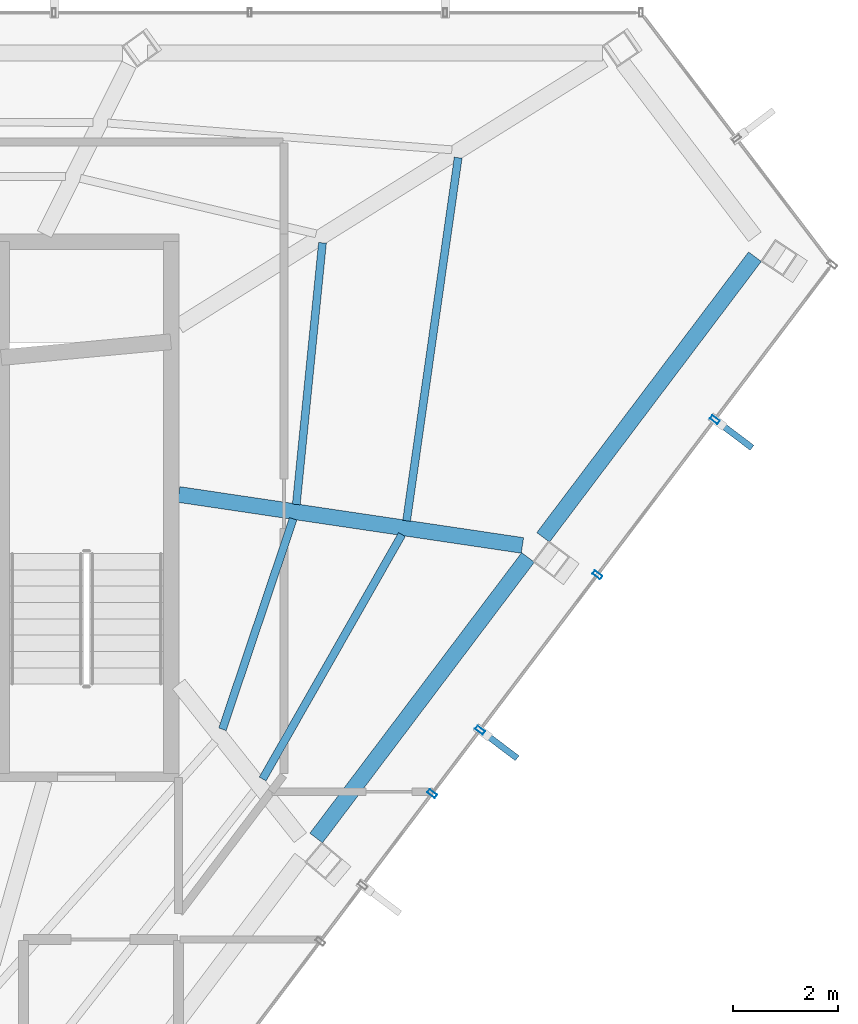
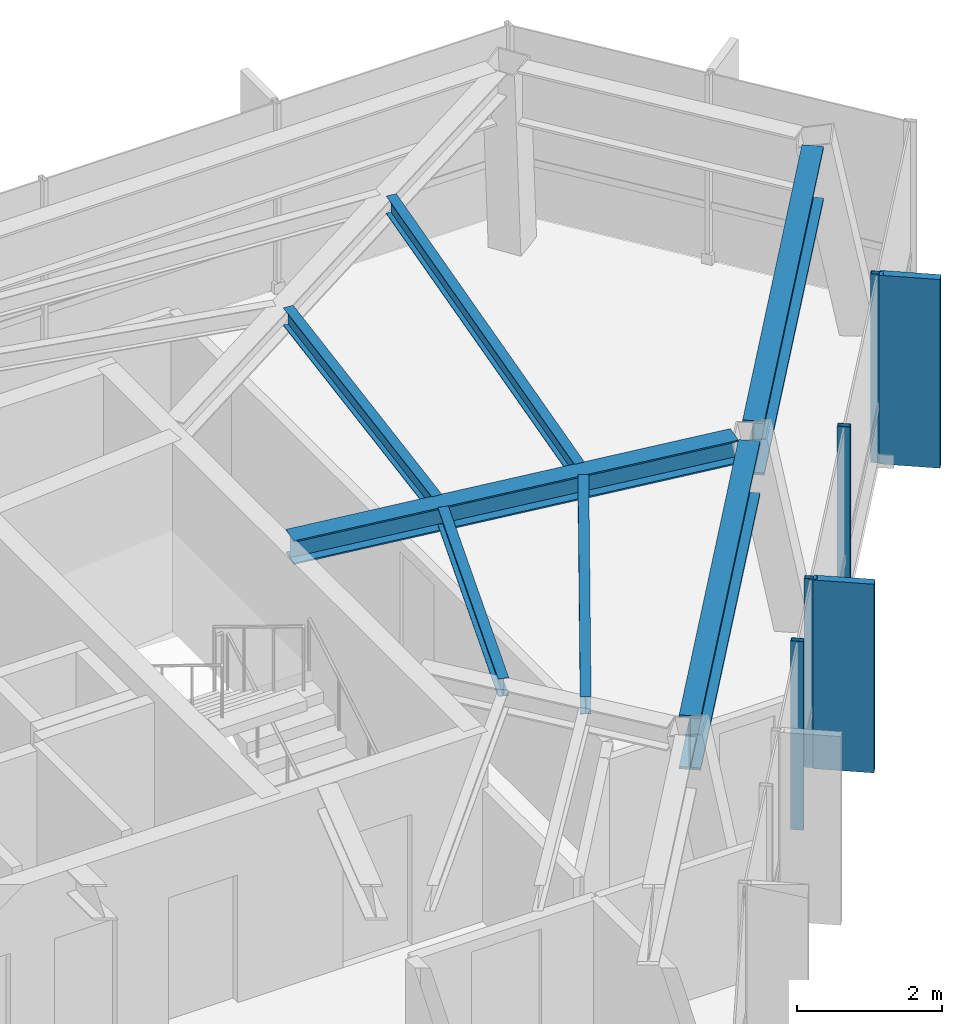
# One storey, part 18 of 25: 7 beams, 6 members, 1 element without a shape of its own.
"""IFC4 building model written with IfcOpenShell, lengths in metres."""

from ifc_helpers import new_model, si_unit, direction, frame, origin, origin_2d, place, context, subcontext, project, spatial, rectangle, hollow_rectangle, i_section, extrude, material, layer, layer_set, material_profile, profile_set, type_object, element, aggregate, save


model = new_model("IFC4")

# Units and contexts
model_context = context("Model", 3, precision=1e-05, world=origin(), true_north=direction((0.0, 1.0)))
body_context = subcontext(model_context, "Body", "Model", "MODEL_VIEW")
ifc_project = project(units=[si_unit("LENGTHUNIT", "METRE"), si_unit("AREAUNIT", "SQUARE_METRE"), si_unit("VOLUMEUNIT", "CUBIC_METRE"), si_unit("PLANEANGLEUNIT", "RADIAN"), si_unit("MASSUNIT", "GRAM", prefix="KILO")], contexts=[model_context])

# Site, building, storey
site_placement = place(None, origin())
site = spatial("IfcSite", under=ifc_project, at=site_placement, CompositionType="ELEMENT")
building_placement = place(site_placement, origin())
building = spatial("IfcBuilding", under=site, at=building_placement, Name="Zarrinselat Tower", CompositionType="ELEMENT")
storey_placement = place(building_placement, frame((0.0, 0.0, 275.39990234375)))
storey = spatial("IfcBuildingStorey", under=building, at=storey_placement, Name="L70", CompositionType="ELEMENT", Elevation=275.39990234375)

# Beams
ifc_material_1 = material(Name="Steel S355J2", Category="steel")
ifc_material_profile_1 = material_profile(ifc_material_1, i_section(OverallWidth=0.300048828125, OverallDepth=0.39990234375, WebThickness=0.013427734375, FlangeThickness=0.02392578125, at=origin_2d()), Name="HEB 400")
ifc_profile_set_1 = profile_set([ifc_material_profile_1], Name="Steel S355J2")
beam_type_1 = type_object("IfcBeamType", Name="BM-HEB400", PredefinedType="BEAM", material=ifc_profile_set_1)
beam_1_placement = place(storey_placement, frame((48.35009765625, 38.60009765625, 2.97998046875), z_axis=(0.989183585491, -0.146682767204, 0.0), x_axis=(0.146682767204, 0.989183585491, 0.0)))
element("IfcBeam", 1, at=beam_1_placement, inside=storey, type_object=beam_type_1, Name="L70 Radial Primary Girder RG14", PredefinedType="BEAM", context=body_context, shape_type="SweptSolid", body=[
    extrude(i_section(OverallWidth=0.300048828125, OverallDepth=0.39990234375, WebThickness=0.013427734375, FlangeThickness=0.02392578125, at=origin_2d()), origin(), (0.0, 0.0, 1.0), 6.59765625),
])
ifc_material_2 = material(Name="Steel S460M", Category="steel")
ifc_material_profile_2 = material_profile(ifc_material_2, i_section(OverallWidth=0.302001953125, OverallDepth=0.909912109375, WebThickness=0.02099609375, FlangeThickness=0.0400390625, at=origin_2d()), Name="HEM 900")
ifc_profile_set_2 = profile_set([ifc_material_profile_2], Name="Steel S460M")
beam_type_2 = type_object("IfcBeamType", Name="BM-HEM900", PredefinedType="BEAM", material=ifc_profile_set_2)
beam_2_placement = place(storey_placement, frame((50.960205078125, 32.076416015625, 2.72509765625), z_axis=(0.602448664463, 0.798157632731, 0.0), x_axis=(-0.798157632731, 0.602448664463, 0.0)))
element("IfcBeam", 2, at=beam_2_placement, inside=storey, type_object=beam_type_2, Name="L70 Perimeter Spandrel Girder SP13", PredefinedType="BEAM", context=body_context, shape_type="SweptSolid", body=[
    extrude(i_section(OverallWidth=0.302001953125, OverallDepth=0.909912109375, WebThickness=0.02099609375, FlangeThickness=0.0400390625, at=origin_2d()), origin(), (0.0, 0.0, 1.0), 6.676513671875),
])
beam_3_placement = place(storey_placement, frame((55.26904296875, 37.785400390625, 2.72509765625), z_axis=(0.60246624825, 0.7981443602, 0.0), x_axis=(-0.7981443602, 0.60246624825, 0.0)))
element("IfcBeam", 3, at=beam_3_placement, inside=storey, type_object=beam_type_2, Name="L70 Perimeter Spandrel Girder SP14", PredefinedType="BEAM", context=body_context, shape_type="SweptSolid", body=[
    extrude(i_section(OverallWidth=0.302001953125, OverallDepth=0.909912109375, WebThickness=0.02099609375, FlangeThickness=0.0400390625, at=origin_2d()), origin(), (0.0, 0.0, 1.0), 6.67626953125),
])
ifc_material_3 = material(Name="Steel S355J2", Category="steel")
ifc_material_profile_3 = material_profile(ifc_material_3, i_section(OverallWidth=0.14990234375, OverallDepth=0.300048828125, WebThickness=0.007080078125, FlangeThickness=0.0107421875, at=origin_2d()), Name="IPE 300")
ifc_profile_set_3 = profile_set([ifc_material_profile_3], Name="Steel S355J2")
beam_type_3 = type_object("IfcBeamType", Name="BM-IPE300", PredefinedType="JOIST", material=ifc_profile_set_3)
beam_4_placement = place(storey_placement, frame((49.944091796875, 33.197021484375, 3.030029296875), z_axis=(0.494888460886, 0.868956507129, 0.0), x_axis=(-0.868956507129, 0.494888460886, 0.0)))
element("IfcBeam", 4, at=beam_4_placement, inside=storey, type_object=beam_type_3, Name="L70 Composite Floor Joist 3-1", PredefinedType="JOIST", context=body_context, shape_type="SweptSolid", body=[
    extrude(i_section(OverallWidth=0.14990234375, OverallDepth=0.300048828125, WebThickness=0.007080078125, FlangeThickness=0.0107421875, at=origin_2d()), origin(), (0.0, 0.0, 1.0), 5.3427734375),
])
beam_5_placement = place(storey_placement, frame((49.18017578125, 34.141357421875, 3.030029296875), z_axis=(0.318779870326, 0.947828778987, 0.0), x_axis=(-0.947828778987, 0.318779870326, 0.0)))
element("IfcBeam", 5, at=beam_5_placement, inside=storey, type_object=beam_type_3, Name="L70 Composite Floor Joist 3-2", PredefinedType="JOIST", context=body_context, shape_type="SweptSolid", body=[
    extrude(i_section(OverallWidth=0.14990234375, OverallDepth=0.300048828125, WebThickness=0.007080078125, FlangeThickness=0.0107421875, at=origin_2d()), origin(), (0.0, 0.0, 1.0), 4.216796875),
])
beam_6_placement = place(storey_placement, frame((52.677001953125, 38.099853515625, 3.030029296875), z_axis=(0.140626147061, 0.990062769102, 0.0), x_axis=(-0.990062769102, 0.140626147061, 0.0)))
element("IfcBeam", 6, at=beam_6_placement, inside=storey, type_object=beam_type_3, Name="L70 Composite Floor Joist 4-1", PredefinedType="JOIST", context=body_context, shape_type="SweptSolid", body=[
    extrude(i_section(OverallWidth=0.14990234375, OverallDepth=0.300048828125, WebThickness=0.007080078125, FlangeThickness=0.0107421875, at=origin_2d()), origin(), (0.0, 0.0, 1.0), 6.96337890625),
])
beam_7_placement = place(storey_placement, frame((50.5830078125, 38.410400390625, 3.030029296875), z_axis=(0.099523087594, 0.995035253162, 0.0), x_axis=(-0.995035253162, 0.099523087594, 0.0)))
element("IfcBeam", 7, at=beam_7_placement, inside=storey, type_object=beam_type_3, Name="L70 Composite Floor Joist 4-2", PredefinedType="JOIST", context=body_context, shape_type="SweptSolid", body=[
    extrude(i_section(OverallWidth=0.14990234375, OverallDepth=0.300048828125, WebThickness=0.007080078125, FlangeThickness=0.0107421875, at=origin_2d()), origin(), (0.0, 0.0, 1.0), 4.9921875),
])

# Curtain wall, members
ifc_material_4 = material(Name="Extruded Aluminium Alloy EN AW-6063 T6", Category="aluminium")
ifc_layer = layer(ifc_material_4, 0.199951171875)
ifc_layer_set = layer_set([ifc_layer], Name="Extruded Aluminium Alloy EN AW-6063 T6")
curtain_wall_type = type_object("IfcCurtainWallType", Name="CWS-BLADE", PredefinedType="NOTDEFINED", material=ifc_layer_set)
curtain_wall_placement = place(storey_placement, origin())
curtain_wall = element("IfcCurtainWall", 8, at=curtain_wall_placement, inside=storey, type_object=curtain_wall_type, Name="L70 Unitised Curtain Wall CW-L70-E05", PredefinedType="NOTDEFINED")
ifc_material_5 = material(Name="Extruded Aluminium Alloy EN AW-6063 T6", Category="aluminium")
ifc_material_profile_4 = material_profile(ifc_material_5, hollow_rectangle(XDim=0.080078125, YDim=0.179931640625, WallThickness=0.0048828125, at=origin_2d()), Name="RHS 180x80x5")
ifc_profile_set_4 = profile_set([ifc_material_profile_4], Name="Extruded Aluminium Alloy EN AW-6063 T6")
member_type_1 = type_object("IfcMemberType", Name="MEM-CW-MUL", PredefinedType="MULLION", material=ifc_profile_set_4)
member_1_placement = place(storey_placement, frame((53.160400390625, 32.920166015625, 0.0), z_axis=(0.0, 0.0, 1.0), x_axis=(0.603169586453, 0.797612970041, 0.0)))
member_1 = element("IfcMember", 9, at=member_1_placement, type_object=member_type_1, Name="CW-L70-E05 Mullion 6", PredefinedType="MULLION", context=body_context, shape_type="SweptSolid", body=[
    extrude(hollow_rectangle(XDim=0.080078125, YDim=0.179931640625, WallThickness=0.0048828125, at=origin_2d()), origin(), (0.0, 0.0, 1.0), 3.18017578125),
])
member_2_placement = place(storey_placement, frame((54.071533203125, 34.125, 0.0), z_axis=(0.0, 0.0, 1.0), x_axis=(0.603169586453, 0.797612970041, 0.0)))
member_2 = element("IfcMember", 10, at=member_2_placement, type_object=member_type_1, Name="CW-L70-E05 Mullion 7", PredefinedType="MULLION", context=body_context, shape_type="SweptSolid", body=[
    extrude(hollow_rectangle(XDim=0.080078125, YDim=0.179931640625, WallThickness=0.0048828125, at=origin_2d()), origin(), (0.0, 0.0, 1.0), 3.18017578125),
])
member_3_placement = place(storey_placement, frame((56.30029296875, 37.072509765625, 0.0), z_axis=(0.0, 0.0, 1.0), x_axis=(0.603169586453, 0.797612970041, 0.0)))
member_3 = element("IfcMember", 11, at=member_3_placement, type_object=member_type_1, Name="CW-L70-E05 Mullion 8", PredefinedType="MULLION", context=body_context, shape_type="SweptSolid", body=[
    extrude(hollow_rectangle(XDim=0.080078125, YDim=0.179931640625, WallThickness=0.0048828125, at=origin_2d()), origin(), (0.0, 0.0, 1.0), 3.18017578125),
])
member_4_placement = place(storey_placement, frame((58.529296875, 40.02001953125, 0.0), z_axis=(0.0, 0.0, 1.0), x_axis=(0.603169586453, 0.797612970041, 0.0)))
member_4 = element("IfcMember", 12, at=member_4_placement, type_object=member_type_1, Name="CW-L70-E05 Mullion 9", PredefinedType="MULLION", context=body_context, shape_type="SweptSolid", body=[
    extrude(hollow_rectangle(XDim=0.080078125, YDim=0.179931640625, WallThickness=0.0048828125, at=origin_2d()), origin(), (0.0, 0.0, 1.0), 3.18017578125),
])
ifc_material_6 = material(Name="Honed Cream Travertine Stone", Category="masonry")
ifc_material_profile_5 = material_profile(ifc_material_6, rectangle(XDim=0.1201171875, YDim=0.85009765625, at=origin_2d()), Name="FIN 850x120")
ifc_profile_set_5 = profile_set([ifc_material_profile_5], Name="Honed Cream Travertine Stone")
member_type_2 = type_object("IfcMemberType", Name="MEM-STONE-FIN", PredefinedType="USERDEFINED", material=ifc_profile_set_5)
member_5_placement = place(storey_placement, frame((54.4384765625, 33.84765625, 0.0), z_axis=(0.0, 0.0, 1.0), x_axis=(-0.603169586453, -0.797612970041, 0.0)))
member_5 = element("IfcMember", 13, at=member_5_placement, type_object=member_type_2, Name="L70 Stone Shading Fin CW-L70-E05-07", ObjectType="FIN", PredefinedType="USERDEFINED", context=body_context, shape_type="SweptSolid", body=[
    extrude(rectangle(XDim=0.1201171875, YDim=0.85009765625, at=origin_2d()), origin(), (0.0, 0.0, 1.0), 3.18017578125),
])
member_6_placement = place(storey_placement, frame((58.896240234375, 39.742431640625, 0.0), z_axis=(0.0, 0.0, 1.0), x_axis=(-0.603169586453, -0.797612970041, 0.0)))
member_6 = element("IfcMember", 14, at=member_6_placement, type_object=member_type_2, Name="L70 Stone Shading Fin CW-L70-E05-09", ObjectType="FIN", PredefinedType="USERDEFINED", context=body_context, shape_type="SweptSolid", body=[
    extrude(rectangle(XDim=0.1201171875, YDim=0.85009765625, at=origin_2d()), origin(), (0.0, 0.0, 1.0), 3.18017578125),
])
aggregate(curtain_wall, [member_1, member_2, member_5, member_3, member_4, member_6])

save(model, "model.ifc")
